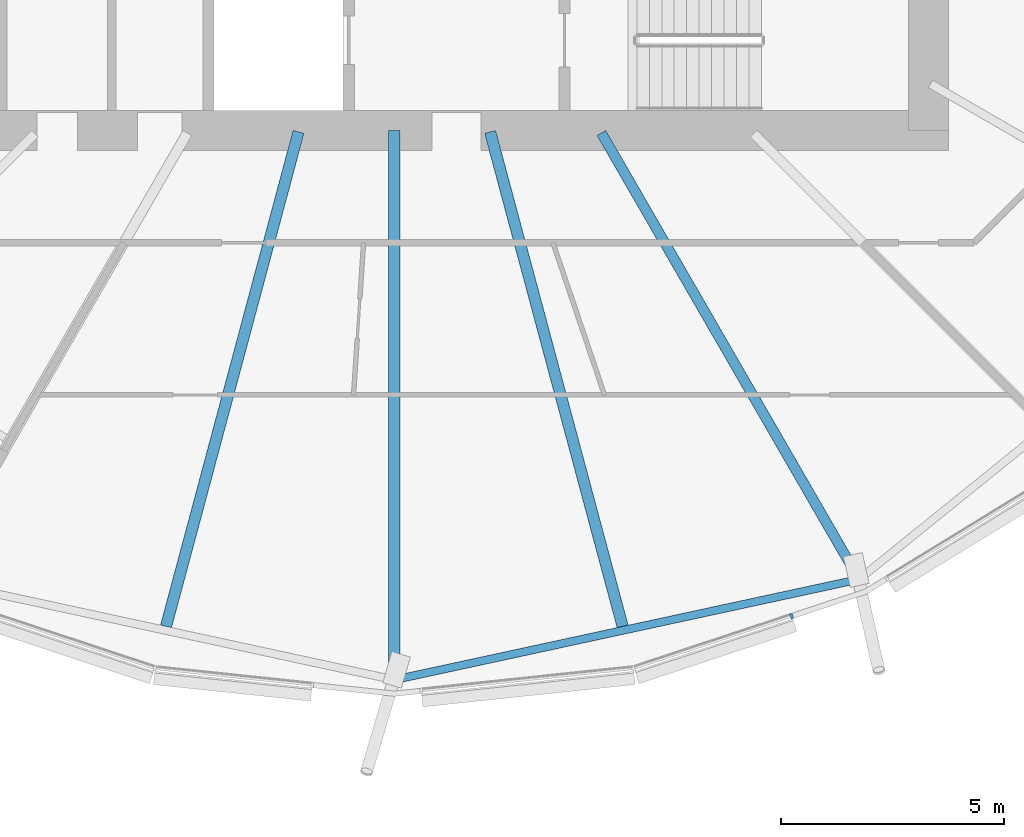
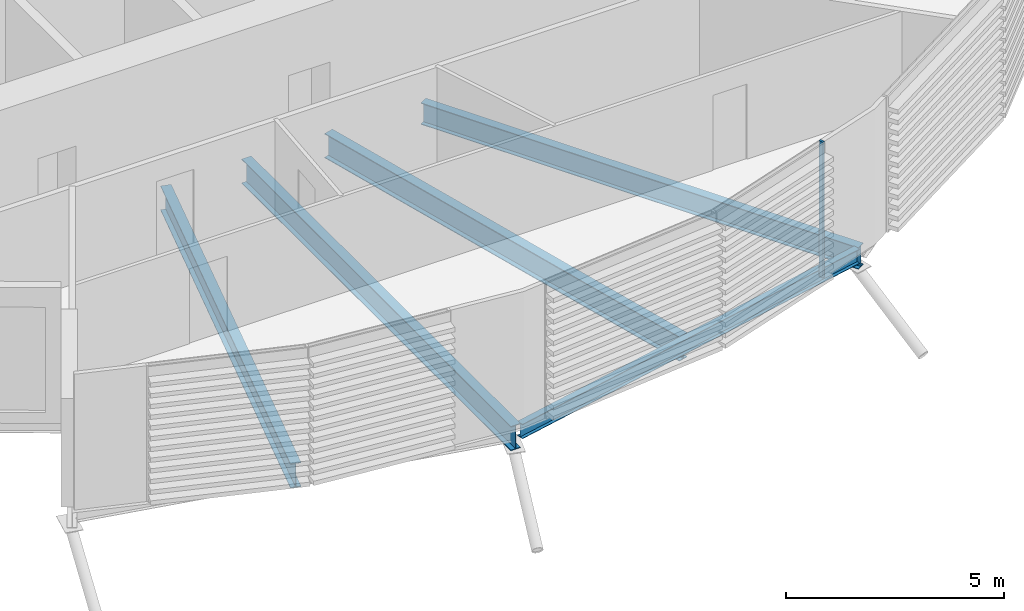
# One storey, part 4 of 38: 5 beams, 1 member, 1 element without a shape of its own.
"""IFC4 building model written with IfcOpenShell, lengths in metres."""

import ifcopenshell
import ifcopenshell.guid

model = None  # the IFC model being written
_history = None  # IfcOwnerHistory: only IFC2X3 demands one
_inside = {}  # id of a spatial element -> (the spatial element, [elements in it])
_under = {}  # id of a project, library or spatial element -> (it, [spatial elements below it])
_declared = {}  # id of a project -> (the project, [libraries it declares])
_typed = {}  # id of a type object -> (the type object, [elements of that type])
_made_of = {}  # id of a material, layer set ... -> (it, [elements and type objects made of it])


def new_model(schema):
    """Start an empty IFC model of exactly this schema.

    Asked for "IFC4X3", IfcOpenShell would pick the latest addendum, in which some entities
    have other attributes; the version numbers below select the first issue.
    IFC2X3 requires an IfcOwnerHistory on every rooted entity: one is made here for all.
    """
    global model, _history
    if schema == "IFC4X3":
        model = ifcopenshell.file(schema_version=(4, 3, 0, 0))
    else:
        model = ifcopenshell.file(schema=schema)
    _inside.clear()
    _under.clear()
    _declared.clear()
    _typed.clear()
    _made_of.clear()
    _history = None
    if model.schema == "IFC2X3":
        org = make("IfcOrganization", Name="unknown")
        user = make(
            "IfcPersonAndOrganization",
            ThePerson=make("IfcPerson", FamilyName="unknown"),
            TheOrganization=org,
        )
        app = make(
            "IfcApplication",
            ApplicationDeveloper=org,
            Version="unknown",
            ApplicationFullName="unknown",
            ApplicationIdentifier="unknown",
        )
        _history = make(
            "IfcOwnerHistory",
            OwningUser=user,
            OwningApplication=app,
            ChangeAction="ADDED",
            CreationDate=0,
        )
    return model


def make(cls, **values):
    """One entity of the class cls with the attributes given. An attribute that is None is left unset."""
    return model.create_entity(
        cls, **{name: value for name, value in values.items() if value is not None}
    )


def rooted(cls, **values):
    """An entity with a GlobalId (a new one), such as an element, a storey or a relation."""
    return make(cls, GlobalId=ifcopenshell.guid.new(), OwnerHistory=_history, **values)


def si_unit(unit_type, name, prefix=None):
    """IfcSIUnit, for example si_unit("LENGTHUNIT", "METRE", prefix="MILLI")."""
    return make("IfcSIUnit", UnitType=unit_type, Prefix=prefix, Name=name)


def assignment(units):
    """IfcUnitAssignment: the units of a project."""
    return None if units is None else make("IfcUnitAssignment", Units=units)


def point(xyz):
    """IfcCartesianPoint."""
    return None if xyz is None else make("IfcCartesianPoint", Coordinates=xyz)


def direction(xyz):
    """IfcDirection."""
    return None if xyz is None else make("IfcDirection", DirectionRatios=xyz)


def frame(location, z_axis=None, x_axis=None):
    """IfcAxis2Placement3D, a coordinate frame: its origin and axes. An axis left out is left unset."""
    return make(
        "IfcAxis2Placement3D",
        Location=point(location),
        Axis=direction(z_axis),
        RefDirection=direction(x_axis),
    )


def frame_2d(location, x_axis=None):
    """IfcAxis2Placement2D, a coordinate frame in the plane: its origin and x axis."""
    return make(
        "IfcAxis2Placement2D", Location=point(location), RefDirection=direction(x_axis)
    )


def origin():
    """The frame at (0, 0, 0) with its axes left unset."""
    return frame((0.0, 0.0, 0.0))


def origin_2d():
    """The frame at (0, 0) in the plane with its x axis left unset."""
    return frame_2d((0.0, 0.0))


def place(relative_to, where):
    """IfcLocalPlacement: puts the frame where relative to a parent placement (None: the world)."""
    return make(
        "IfcLocalPlacement", PlacementRelTo=relative_to, RelativePlacement=where
    )


def context(
    kind, dimensions, precision=None, world=None, true_north=None, identifier=None
):
    """IfcGeometricRepresentationContext, for example the 3D "Model" context."""
    return make(
        "IfcGeometricRepresentationContext",
        ContextIdentifier=identifier,
        ContextType=kind,
        CoordinateSpaceDimension=dimensions,
        Precision=precision,
        WorldCoordinateSystem=world,
        TrueNorth=true_north,
    )


def subcontext(parent, identifier, kind, view, scale=None):
    """IfcGeometricRepresentationSubContext, for example "Body" below "Model"."""
    return make(
        "IfcGeometricRepresentationSubContext",
        ContextIdentifier=identifier,
        ContextType=kind,
        ParentContext=parent,
        TargetScale=scale,
        TargetView=view,
    )


def project(units=None, contexts=None):
    """IfcProject with its units and contexts."""
    return rooted(
        "IfcProject",
        Name="project",
        RepresentationContexts=contexts,
        UnitsInContext=assignment(units),
    )


def spatial(cls, under=None, at=None, **own):
    """A site, building, storey or space (cls), placed at a placement, below another one or the project."""
    s = rooted(cls, ObjectPlacement=at, **own)
    if under is not None:
        _under.setdefault(under.id(), (under, []))[1].append(s)
    return s


def profile(cls, at=None, kind="AREA", **sizes):
    """A parametric profile (cls). Its sizes go by their IFC names, for example OverallWidth=200.0."""
    return make(cls, ProfileType=kind, Position=at, **sizes)


def rectangle(**sizes):
    """IfcRectangleProfileDef."""
    return profile("IfcRectangleProfileDef", **sizes)


def i_section(**sizes):
    """IfcIShapeProfileDef."""
    return profile("IfcIShapeProfileDef", **sizes)


def extrude(swept, where, along, depth):
    """IfcExtrudedAreaSolid: the profile swept, set in the frame where, extruded along a direction by depth."""
    return make(
        "IfcExtrudedAreaSolid",
        SweptArea=swept,
        Position=where,
        ExtrudedDirection=direction(along),
        Depth=depth,
    )


def shape(context_of_items, identifier, shape_type, items):
    """IfcShapeRepresentation: the items that make up one representation, for example the "Body"."""
    return make(
        "IfcShapeRepresentation",
        ContextOfItems=context_of_items,
        RepresentationIdentifier=identifier,
        RepresentationType=shape_type,
        Items=items,
    )


def material(Name=None, Category=None):
    """IfcMaterial."""
    return make("IfcMaterial", Name=Name, Category=Category)


def material_profile(
    of_material, cross_section, Name=None, Category=None, Priority=None
):
    """IfcMaterialProfile: a cross section and its material."""
    return make(
        "IfcMaterialProfile",
        Name=Name,
        Material=of_material,
        Profile=cross_section,
        Priority=Priority,
        Category=Category,
    )


def profile_set(profiles, Name=None, composite=None):
    """IfcMaterialProfileSet."""
    return make(
        "IfcMaterialProfileSet",
        Name=Name,
        MaterialProfiles=profiles,
        CompositeProfile=composite,
    )


def made_of(thing, what):
    """Note that an element or type object is made of a material, layer set ...; save() writes the relation."""
    if what is not None:
        _made_of.setdefault(what.id(), (what, []))[1].append(thing)
    return thing


def type_object(cls, material=None, **own):
    """A type object (cls), such as IfcWallType, which elements share."""
    return made_of(rooted(cls, **own), material)


def element(
    cls,
    number,
    at=None,
    inside=None,
    cuts=None,
    type_object=None,
    material=None,
    context=None,
    identifier="Body",
    shape_type=None,
    held_by="IfcProductDefinitionShape",
    body=None,
    shapes=None,
    **own,
):
    """One element of the class cls, such as IfcWall. Its Tag is "e" and its number.

    at: its placement. inside: the storey or other place that contains it. cuts: it is an
    opening in that element (IfcRelVoidsElement). A single representation is given by context,
    identifier, shape_type and body (its items); several are given by shapes. held_by: the class
    of the entity that holds the representations. save() writes the other relations.
    """
    e = rooted(cls, Tag="e%d" % number, ObjectPlacement=at, **own)
    if body is not None:
        shapes = [shape(context, identifier, shape_type, body)]
    if shapes is not None:
        e.Representation = make(held_by, Representations=shapes)
    if inside is not None:
        _inside.setdefault(inside.id(), (inside, []))[1].append(e)
    if cuts is not None:
        rooted(
            "IfcRelVoidsElement", RelatingBuildingElement=cuts, RelatedOpeningElement=e
        )
    if type_object is not None:
        _typed.setdefault(type_object.id(), (type_object, []))[1].append(e)
    return made_of(e, material)


def aggregate(whole, parts):
    """IfcRelAggregates: a whole, such as a stair, and the parts it consists of."""
    return rooted("IfcRelAggregates", RelatingObject=whole, RelatedObjects=parts)


def save(model, path):
    """Write the relations noted so far, then the file.

    IfcRelAggregates (storeys below a building ...), IfcRelContainedInSpatialStructure (elements
    in a storey), IfcRelDefinesByType, IfcRelAssociatesMaterial and IfcRelDeclares: one each for
    every whole, place, type object, material and project.
    """
    for whole, parts in _under.values():
        aggregate(whole, parts)
    for where, things in _inside.values():
        rooted(
            "IfcRelContainedInSpatialStructure",
            RelatedElements=things,
            RelatingStructure=where,
        )
    for kind, things in _typed.values():
        rooted("IfcRelDefinesByType", RelatedObjects=things, RelatingType=kind)
    for what, things in _made_of.values():
        rooted("IfcRelAssociatesMaterial", RelatedObjects=things, RelatingMaterial=what)
    for by, libraries in _declared.values():
        rooted("IfcRelDeclares", RelatingContext=by, RelatedDefinitions=libraries)
    model.write(path)


model = new_model("IFC4")

# Units and contexts
model_context = context("Model", 3, precision=1e-05, world=origin(), true_north=direction((0.0, 1.0)))
body_context = subcontext(model_context, "Body", "Model", "MODEL_VIEW")
ifc_project = project(units=[si_unit("LENGTHUNIT", "METRE"), si_unit("AREAUNIT", "SQUARE_METRE"), si_unit("VOLUMEUNIT", "CUBIC_METRE"), si_unit("PLANEANGLEUNIT", "RADIAN"), si_unit("MASSUNIT", "GRAM", prefix="KILO")], contexts=[model_context])

# Site, building, storey
site_placement = place(None, origin())
site = spatial("IfcSite", under=ifc_project, at=site_placement, CompositionType="ELEMENT")
building_placement = place(site_placement, origin())
building = spatial("IfcBuilding", under=site, at=building_placement, Name="Rimbun Link Towers", CompositionType="ELEMENT")
storey_placement = place(building_placement, frame((0.0, 0.0, 56.60009765625)))
storey = spatial("IfcBuildingStorey", under=building, at=storey_placement, Name="L13", CompositionType="ELEMENT", Elevation=56.60009765625)

# Curtain wall, member
ifc_material_1 = material(Name="Aluminium 6063-T6 and low-iron glass", Category="aluminium")
curtain_wall_type = type_object("IfcCurtainWallType", Name="CW1 unitised vision wall", PredefinedType="NOTDEFINED", material=ifc_material_1)
curtain_wall_placement = place(storey_placement, origin())
curtain_wall = element("IfcCurtainWall", 1, at=curtain_wall_placement, inside=storey, type_object=curtain_wall_type, Name="CW1 L13 T1", PredefinedType="NOTDEFINED")
ifc_material_2 = material(Name="Aluminium 6063-T6", Category="aluminium")
ifc_material_profile_1 = material_profile(ifc_material_2, rectangle(XDim=0.1201171875, YDim=0.06005859375, at=origin_2d()), Name="MULLION 60X120")
ifc_profile_set_1 = profile_set([ifc_material_profile_1], Name="Aluminium 6063-T6")
member_type = type_object("IfcMemberType", Name="CW1 mullion 60X120", PredefinedType="MULLION", material=ifc_profile_set_1)
member_placement = place(storey_placement, frame((-22.8212890625, -18.9169921875, 0.0), z_axis=(0.0, 0.0, 1.0), x_axis=(0.314563424855, -0.949236457235, 0.0)))
member = element("IfcMember", 2, at=member_placement, type_object=member_type, Name="CW1 mullion", PredefinedType="MULLION", context=body_context, shape_type="SweptSolid", body=[
    extrude(rectangle(XDim=0.1201171875, YDim=0.06005859375, at=origin_2d()), origin(), (0.0, 0.0, 1.0), 3.7998046875),
])
aggregate(curtain_wall, [member])

# Beams
ifc_material_3 = material(Name="Steel S355J2", Category="steel")
ifc_material_profile_2 = material_profile(ifc_material_3, i_section(OverallWidth=0.177978515625, OverallDepth=0.406494140625, WebThickness=0.0078125, FlangeThickness=0.0126953125, at=origin_2d()), Name="UB 406x178x60")
ifc_profile_set_2 = profile_set([ifc_material_profile_2], Name="Steel S355J2")
beam_type_1 = type_object("IfcBeamType", Name="UB 406x178x60", PredefinedType="BEAM", material=ifc_profile_set_2)
beam_1_placement = place(storey_placement, frame((-31.622314453125, -20.320068359375, -0.36328125), z_axis=(0.977392737339, 0.21143187318, 0.0), x_axis=(-0.21143187318, 0.977392737339, 0.0)))
element("IfcBeam", 3, at=beam_1_placement, inside=storey, type_object=beam_type_1, Name="Edge beam T1 L13 18-20", PredefinedType="BEAM", context=body_context, shape_type="SweptSolid", body=[
    extrude(i_section(OverallWidth=0.177978515625, OverallDepth=0.406494140625, WebThickness=0.0078125, FlangeThickness=0.0126953125, at=origin_2d()), origin(), (0.0, 0.0, 1.0), 10.433837890625),
])
ifc_material_4 = material(Name="Steel S355J2", Category="steel")
ifc_material_profile_3 = material_profile(ifc_material_4, i_section(OverallWidth=0.2275390625, OverallDepth=0.6025390625, WebThickness=0.010498046875, FlangeThickness=0.014892578125, at=origin_2d()), Name="UB 610x229x101")
ifc_profile_set_3 = profile_set([ifc_material_profile_3], Name="Steel S355J2")
beam_type_2 = type_object("IfcBeamType", Name="UB 610x229x101", PredefinedType="BEAM", material=ifc_profile_set_3)
beam_2_placement = place(storey_placement, frame((-27.097900390625, -8.057861328125, -0.46142578125), z_axis=(0.500008919292, -0.866020254168, 0.0), x_axis=(0.866020254168, 0.500008919292, 0.0)))
element("IfcBeam", 4, at=beam_2_placement, inside=storey, type_object=beam_type_2, Name="Radial beam T1 L13 20", PredefinedType="BEAM", context=body_context, shape_type="SweptSolid", body=[
    extrude(i_section(OverallWidth=0.2275390625, OverallDepth=0.6025390625, WebThickness=0.010498046875, FlangeThickness=0.014892578125, at=origin_2d()), origin(), (0.0, 0.0, 1.0), 11.582275390625),
])
ifc_material_5 = material(Name="Steel S355J2", Category="steel")
ifc_material_profile_4 = material_profile(ifc_material_5, i_section(OverallWidth=0.253662109375, OverallDepth=0.68359375, WebThickness=0.012451171875, FlangeThickness=0.01904296875, at=origin_2d()), Name="UB 686x254x140")
ifc_profile_set_4 = profile_set([ifc_material_profile_4], Name="Steel S355J2")
beam_type_3 = type_object("IfcBeamType", Name="UB 686x254x140", PredefinedType="BEAM", material=ifc_profile_set_4)
beam_3_placement = place(storey_placement, frame((-33.902587890625, -8.03369140625, -0.501708984375), z_axis=(-0.258819531339, -0.965925696002, 0.0), x_axis=(0.965925696002, -0.258819531339, 0.0)))
element("IfcBeam", 5, at=beam_3_placement, inside=storey, type_object=beam_type_3, Name="Radial beam T1 L13 17", PredefinedType="BEAM", context=body_context, shape_type="SweptSolid", body=[
    extrude(i_section(OverallWidth=0.253662109375, OverallDepth=0.68359375, WebThickness=0.012451171875, FlangeThickness=0.01904296875, at=origin_2d()), origin(), (0.0, 0.0, 1.0), 11.50439453125),
])
beam_4_placement = place(storey_placement, frame((-31.75, -8.0009765625, -0.501708984375), z_axis=(0.0, -1.0, 0.0), x_axis=(1.0, 0.0, 0.0)))
element("IfcBeam", 6, at=beam_4_placement, inside=storey, type_object=beam_type_3, Name="Radial beam T1 L13 18", PredefinedType="BEAM", context=body_context, shape_type="SweptSolid", body=[
    extrude(i_section(OverallWidth=0.253662109375, OverallDepth=0.68359375, WebThickness=0.012451171875, FlangeThickness=0.01904296875, at=origin_2d()), origin(), (0.0, 0.0, 1.0), 12.3466796875),
])
beam_5_placement = place(storey_placement, frame((-29.597412109375, -8.03369140625, -0.501708984375), z_axis=(0.258819531339, -0.965925696002, 0.0), x_axis=(0.965925696002, 0.258819531339, 0.0)))
element("IfcBeam", 7, at=beam_5_placement, inside=storey, type_object=beam_type_3, Name="Radial beam T1 L13 19", PredefinedType="BEAM", context=body_context, shape_type="SweptSolid", body=[
    extrude(i_section(OverallWidth=0.253662109375, OverallDepth=0.68359375, WebThickness=0.012451171875, FlangeThickness=0.01904296875, at=origin_2d()), origin(), (0.0, 0.0, 1.0), 11.50439453125),
])

save(model, "model.ifc")
